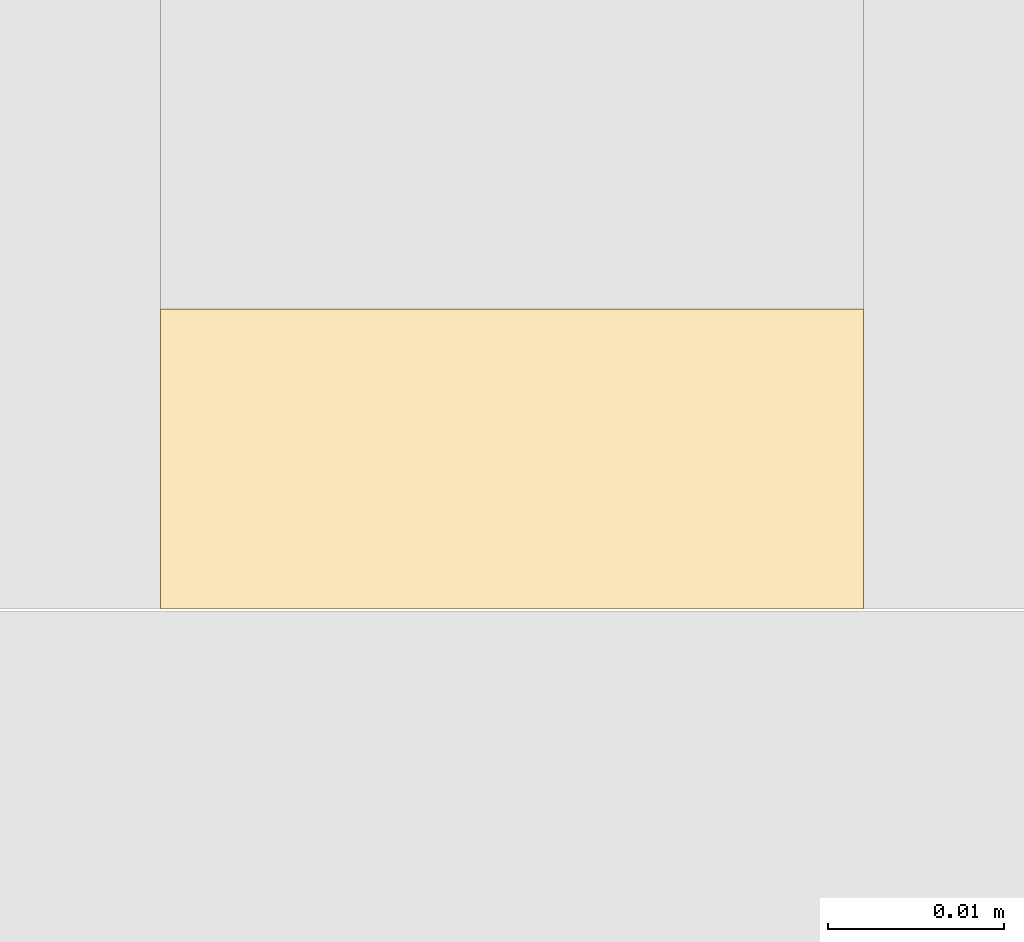
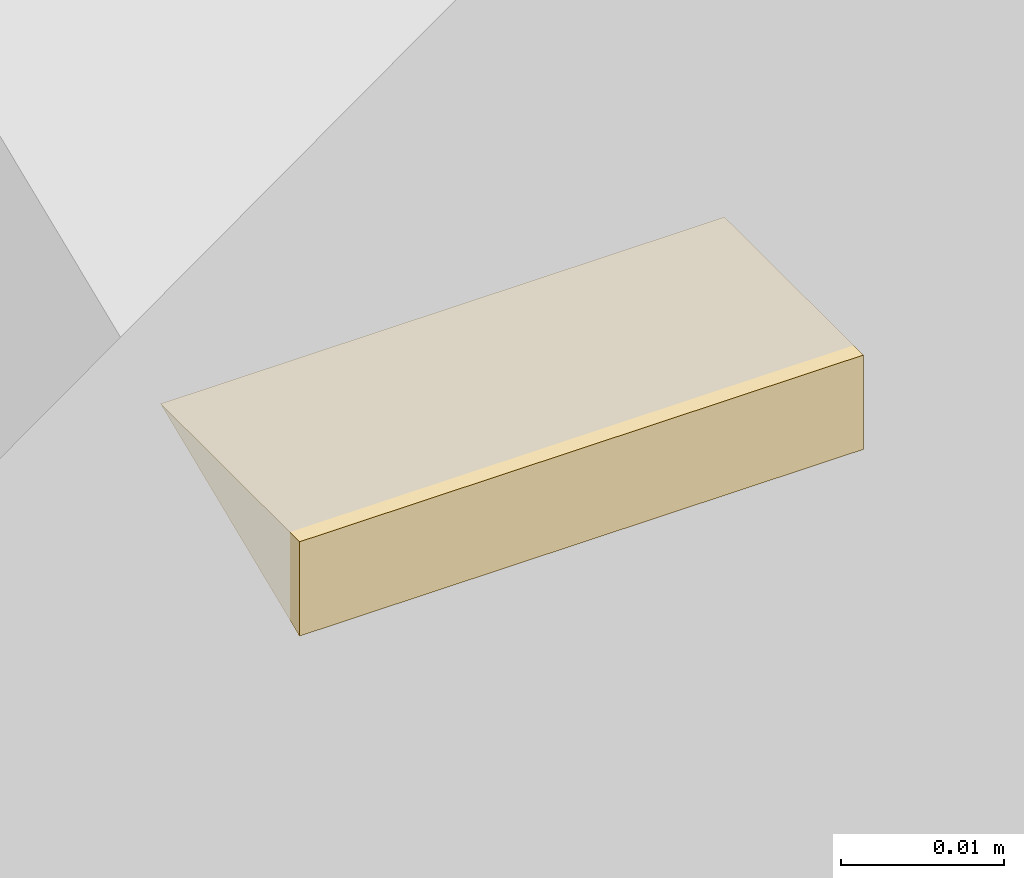
# One storey, part 24 of 25: 1 covering.
"""IFC4 building model written with IfcOpenShell, lengths in metres."""

from ifc_helpers import new_model, si_unit, direction, frame, origin, place, context, subcontext, project, spatial, polyline, outline, extrude, material, layer, layer_set, type_object, element, save


model = new_model("IFC4")

# Units and contexts
model_context = context("Model", 3, precision=1e-05, world=origin(), true_north=direction((0.0, 1.0)))
body_context = subcontext(model_context, "Body", "Model", "MODEL_VIEW")
ifc_project = project(units=[si_unit("LENGTHUNIT", "METRE"), si_unit("AREAUNIT", "SQUARE_METRE"), si_unit("VOLUMEUNIT", "CUBIC_METRE"), si_unit("PLANEANGLEUNIT", "RADIAN"), si_unit("MASSUNIT", "GRAM", prefix="KILO")], contexts=[model_context])

# Site, building, storey
site_placement = place(None, origin())
site = spatial("IfcSite", under=ifc_project, at=site_placement, CompositionType="ELEMENT")
building_placement = place(site_placement, origin())
building = spatial("IfcBuilding", under=site, at=building_placement, Name="Malebo Sky Hospital", CompositionType="ELEMENT")
storey_placement = place(building_placement, frame((0.0, 0.0, 241.0)))
storey = spatial("IfcBuildingStorey", under=building, at=storey_placement, Name="L58", CompositionType="ELEMENT", Elevation=241.0)

# Covering
ifc_material = material(Name="Anodised aluminium, natural silver insulated infill panel", Category="aluminium")
ifc_layer = layer(ifc_material, 0.0400390625)
ifc_layer_set = layer_set([ifc_layer], Name="BRACE INFILL PANEL 40")
covering_type = type_object("IfcCoveringType", Name="BRACE INFILL PANEL 40", PredefinedType="CLADDING", material=ifc_layer_set)
covering_placement = place(storey_placement, frame((82.574951171875, 56.046142578125, 3.3828125), z_axis=(0.0, 0.0, 1.0), x_axis=(0.0, -1.0, 0.0)))
element("IfcCovering", 1, at=covering_placement, inside=storey, type_object=covering_type, Name="Brace infill panel 9.3", PredefinedType="CLADDING", context=body_context, shape_type="SweptSolid", body=[
    extrude(outline(polyline([(0.008544921875, 0.0), (0.008544921875, 0.007080078125), (-0.008544921875, 0.007080078125), (0.008544921875, 0.0)])), frame((0.0, 0.02001953125, 0.0), z_axis=(0.0, -1.0, 0.0), x_axis=(1.0, 0.0, 0.0)), (0.0, 0.0, 1.0), 0.0400390625),
])

save(model, "model.ifc")
